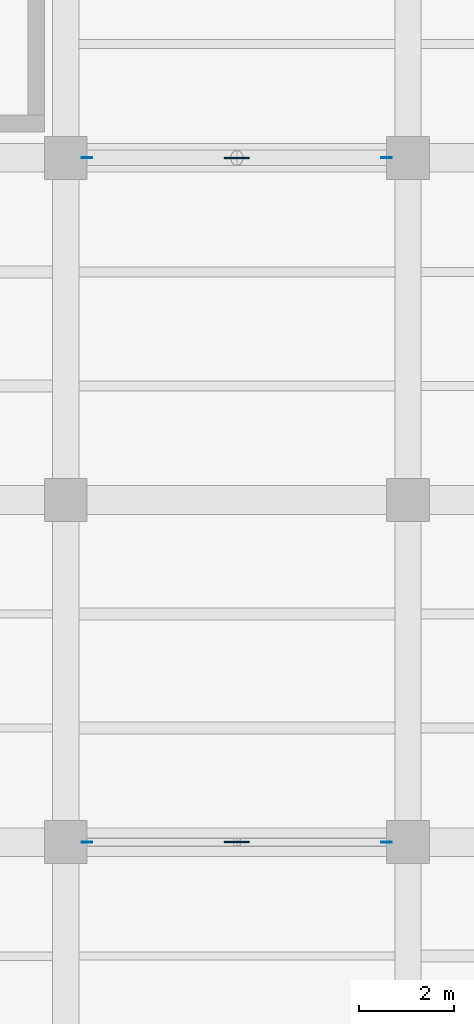
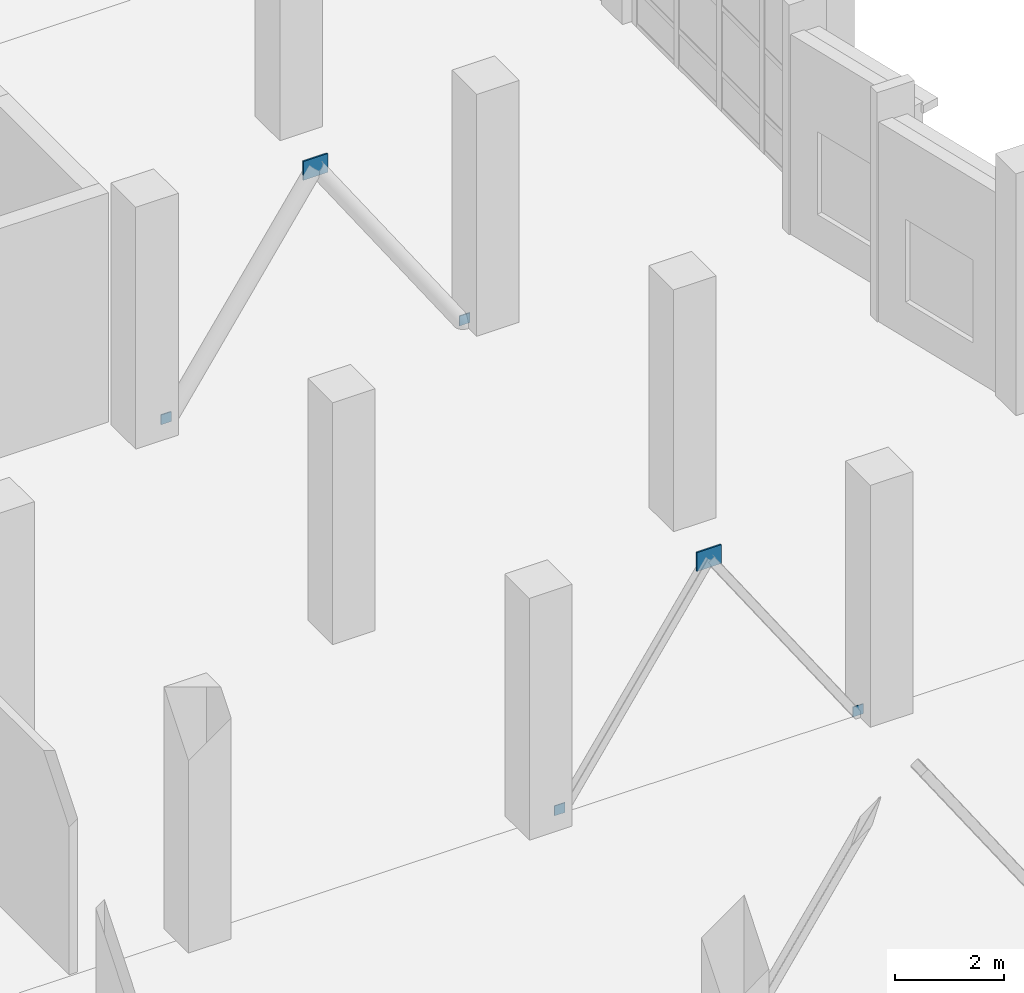
# One storey, part 98 of 137: 6 plates.
"""IFC4 building model written with IfcOpenShell, lengths in metres."""

from ifc_helpers import new_model, si_unit, direction, frame, origin, origin_2d, place, context, subcontext, project, spatial, rectangle, extrude, material, layer, layer_set, type_object, element, save


model = new_model("IFC4")

# Units and contexts
model_context = context("Model", 3, precision=1e-05, world=origin(), true_north=direction((0.0, 1.0)))
body_context = subcontext(model_context, "Body", "Model", "MODEL_VIEW")
ifc_project = project(units=[si_unit("LENGTHUNIT", "METRE"), si_unit("AREAUNIT", "SQUARE_METRE"), si_unit("VOLUMEUNIT", "CUBIC_METRE"), si_unit("PLANEANGLEUNIT", "RADIAN"), si_unit("MASSUNIT", "GRAM", prefix="KILO")], contexts=[model_context])

# Site, building, storey
site_placement = place(None, origin())
site = spatial("IfcSite", under=ifc_project, at=site_placement, CompositionType="ELEMENT")
building_placement = place(site_placement, origin())
building = spatial("IfcBuilding", under=site, at=building_placement, Name="Kalmorath City Hall", CompositionType="ELEMENT")
storey_placement = place(building_placement, origin())
storey = spatial("IfcBuildingStorey", under=building, at=storey_placement, Name="L00", CompositionType="ELEMENT", Elevation=0.0)

# Plates
ifc_material_1 = material(Name="Steel ASTM A572 Grade 50", Category="steel")
ifc_layer_1 = layer(ifc_material_1, 0.02001953125)
ifc_layer_set_1 = layer_set([ifc_layer_1], Name="Steel ASTM A572 Grade 50")
plate_type_1 = type_object("IfcPlateType", Name="Steel HSS end-cap plate 220x220x20", PredefinedType="SHEET", material=ifc_layer_set_1)
for number, where, z_axis, x_axis, name in (
    (1, (14.85009765625, 36.0, 0.0), (0.0, 0.0, 1.0), (1.0, 0.0, 0.0), "L00 brace foot end-plate GP5-10L"),
    (2, (21.14990234375, 36.0, 0.0), (0.0, 0.0, 1.0), (1.0, 0.0, 0.0), "L00 brace foot end-plate GP5-10R"),
    (3, (14.85009765625, 50.39990234375, 0.0), (0.0, 0.0, 1.0), (1.0, 0.0, 0.0), "L00 brace foot end-plate GP5-17L"),
    (4, (21.14990234375, 50.39990234375, 0.0), (0.0, 0.0, 1.0), (1.0, 0.0, 0.0), "L00 brace foot end-plate GP5-17R"),
):
    element("IfcPlate", number, at=place(storey_placement, frame(where, z_axis=z_axis, x_axis=x_axis)), inside=storey, type_object=plate_type_1, Name=name, PredefinedType="SHEET", context=body_context, shape_type="SweptSolid", body=[
        extrude(rectangle(XDim=0.219970703125, YDim=0.02001953125, at=origin_2d()), origin(), (0.0, 0.0, 1.0), 0.219970703125),
    ])
ifc_material_2 = material(Name="Steel ASTM A572 Grade 50", Category="steel")
ifc_layer_2 = layer(ifc_material_2, 0.031982421875)
ifc_layer_set_2 = layer_set([ifc_layer_2], Name="Steel ASTM A572 Grade 50")
plate_type_2 = type_object("IfcPlateType", Name="Steel brace gusset plate 520x420x32", PredefinedType="USERDEFINED", material=ifc_layer_set_2)
for number, where, z_axis, x_axis, name in (
    (5, (18.0, 36.0, 4.41015625), (0.0, 0.0, 1.0), (1.0, 0.0, 0.0), "L00 brace gusset plate GP2-10"),
    (6, (18.0, 50.39990234375, 4.41015625), (0.0, 0.0, 1.0), (1.0, 0.0, 0.0), "L00 brace gusset plate GP2-17"),
):
    element("IfcPlate", number, at=place(storey_placement, frame(where, z_axis=z_axis, x_axis=x_axis)), inside=storey, type_object=plate_type_2, Name=name, ObjectType="GUSSET PLATE", PredefinedType="USERDEFINED", context=body_context, shape_type="SweptSolid", body=[
        extrude(rectangle(XDim=0.52001953125, YDim=0.031982421875, at=origin_2d()), origin(), (0.0, 0.0, 1.0), 0.419921875),
    ])

save(model, "model.ifc")
